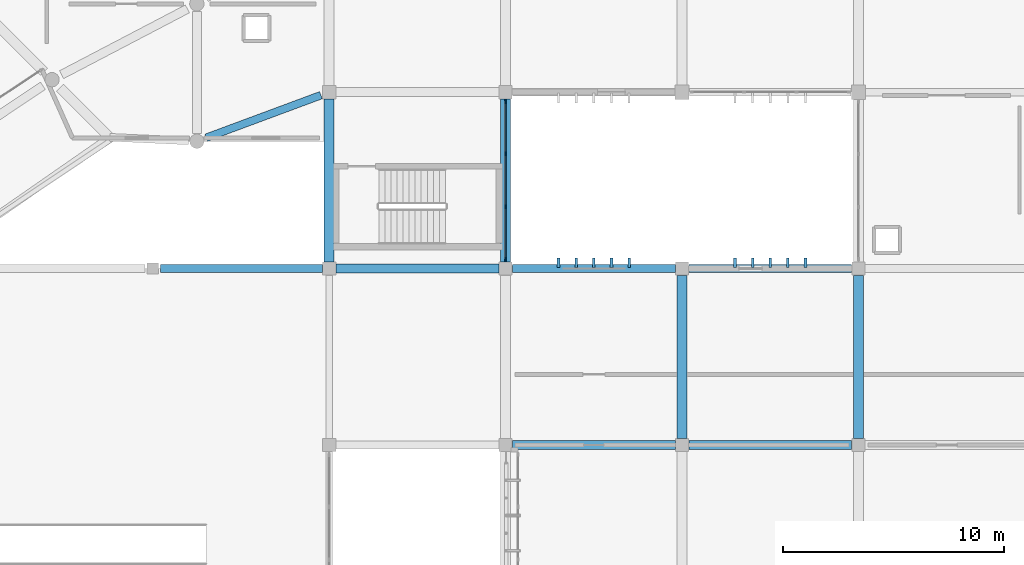
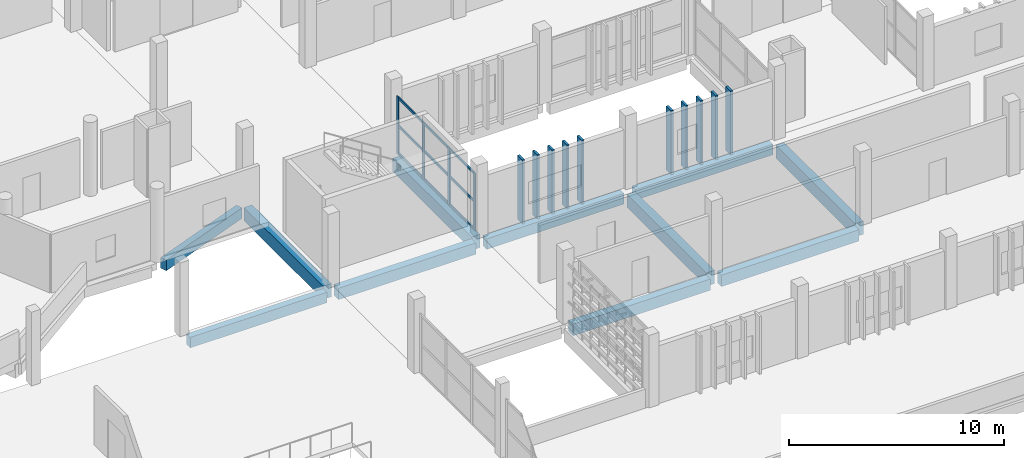
# One storey, part 13 of 137: 23 members, 11 beams, 1 element without a shape of its own.
"""IFC4 building model written with IfcOpenShell, lengths in metres."""

from ifc_helpers import new_model, si_unit, direction, frame, origin, origin_2d, place, context, subcontext, project, spatial, rectangle, extrude, material, layer, layer_set, material_profile, profile_set, type_object, element, aggregate, save


model = new_model("IFC4")

# Units and contexts
model_context = context("Model", 3, precision=1e-05, world=origin(), true_north=direction((0.0, 1.0)))
body_context = subcontext(model_context, "Body", "Model", "MODEL_VIEW")
ifc_project = project(units=[si_unit("LENGTHUNIT", "METRE"), si_unit("AREAUNIT", "SQUARE_METRE"), si_unit("VOLUMEUNIT", "CUBIC_METRE"), si_unit("PLANEANGLEUNIT", "RADIAN"), si_unit("MASSUNIT", "GRAM", prefix="KILO")], contexts=[model_context])

# Site, building, storey
site_placement = place(None, origin())
site = spatial("IfcSite", under=ifc_project, at=site_placement, CompositionType="ELEMENT")
building_placement = place(site_placement, origin())
building = spatial("IfcBuilding", under=site, at=building_placement, Name="Jelvoka-Kovrelna Polytechnic", CompositionType="ELEMENT")
storey_placement = place(building_placement, frame((0.0, 0.0, 9.60009765625)))
storey = spatial("IfcBuildingStorey", under=building, at=storey_placement, Name="L03", CompositionType="ELEMENT", Elevation=9.60009765625)

# Beams
ifc_material_1 = material(Name="Concrete C40/50", Category="concrete")
ifc_material_profile_1 = material_profile(ifc_material_1, rectangle(XDim=0.39990234375, YDim=0.64990234375, at=origin_2d()), Name="RC 400x650")
ifc_profile_set_1 = profile_set([ifc_material_profile_1], Name="Concrete C40/50")
beam_type_1 = type_object("IfcBeamType", Name="Beam_RC_400x650", PredefinedType="BEAM", material=ifc_profile_set_1)
for number, where, z_axis, x_axis, name in (
    (1, (56.304931640625, 16.0, -0.590087890625), (1.0, 0.0, 0.0), (0.0, 1.0, 0.0), "L03 beam 0870"),
    (2, (64.304931640625, 16.0, -0.590087890625), (1.0, 0.0, 0.0), (0.0, 1.0, 0.0), "L03 beam 0871"),
    (3, (48.304931640625, 24.0, -0.590087890625), (1.0, 0.0, 0.0), (0.0, 1.0, 0.0), "L03 beam 1089"),
):
    element("IfcBeam", number, at=place(storey_placement, frame(where, z_axis=z_axis, x_axis=x_axis)), inside=storey, type_object=beam_type_1, Name=name, PredefinedType="BEAM", context=body_context, shape_type="SweptSolid", body=[
        extrude(rectangle(XDim=0.39990234375, YDim=0.64990234375, at=origin_2d()), origin(), (0.0, 0.0, 1.0), 7.39013671875),
    ])
ifc_material_2 = material(Name="Concrete C40/50", Category="concrete")
ifc_material_profile_2 = material_profile(ifc_material_2, rectangle(XDim=0.449951171875, YDim=0.75, at=origin_2d()), Name="RC 450x750")
ifc_profile_set_2 = profile_set([ifc_material_profile_2], Name="Concrete C40/50")
beam_type_2 = type_object("IfcBeamType", Name="Beam_RC_450x750", PredefinedType="BEAM", material=ifc_profile_set_2)
for number, where, z_axis, x_axis, name in (
    (4, (64.0, 16.304931640625, -0.64013671875), (0.0, 1.0, 0.0), (-1.0, 0.0, 0.0), "L03 beam 0886"),
    (5, (72.0, 16.304931640625, -0.64013671875), (0.0, 1.0, 0.0), (-1.0, 0.0, 0.0), "L03 beam 0888"),
    (6, (48.0, 24.304931640625, -0.64013671875), (0.0, 1.0, 0.0), (-1.0, 0.0, 0.0), "L03 beam 1096"),
    (7, (56.0, 24.304931640625, -0.64013671875), (0.0, 1.0, 0.0), (-1.0, 0.0, 0.0), "L03 beam 1102"),
):
    element("IfcBeam", number, at=place(storey_placement, frame(where, z_axis=z_axis, x_axis=x_axis)), inside=storey, type_object=beam_type_2, Name=name, PredefinedType="BEAM", context=body_context, shape_type="SweptSolid", body=[
        extrude(rectangle(XDim=0.449951171875, YDim=0.75, at=origin_2d()), origin(), (0.0, 0.0, 1.0), 7.39013671875),
    ])

# Members
ifc_material_3 = material(Name="Precast concrete C40/50", Category="concrete")
ifc_material_profile_3 = material_profile(ifc_material_3, rectangle(XDim=0.1201171875, YDim=0.449951171875, at=origin_2d()), Name="PC 120x450")
ifc_profile_set_3 = profile_set([ifc_material_profile_3], Name="Precast concrete C40/50")
member_type_1 = type_object("IfcMemberType", Name="Louvre_Fin_120x450", PredefinedType="USERDEFINED", material=ifc_profile_set_3)
for number, where, z_axis, x_axis, name in (
    (8, (58.39990234375, 24.264892578125, -0.27001953125), (0.0, 0.0, 1.0), (1.0, 0.0, 0.0), "L03 B1 north vertical solar louvre fin 0221"),
    (9, (59.199951171875, 24.264892578125, -0.27001953125), (0.0, 0.0, 1.0), (1.0, 0.0, 0.0), "L03 B1 north vertical solar louvre fin 0222"),
    (10, (60.0, 24.264892578125, -0.27001953125), (0.0, 0.0, 1.0), (1.0, 0.0, 0.0), "L03 B1 north vertical solar louvre fin 0223"),
    (11, (60.800048828125, 24.264892578125, -0.27001953125), (0.0, 0.0, 1.0), (1.0, 0.0, 0.0), "L03 B1 north vertical solar louvre fin 0224"),
    (12, (61.60009765625, 24.264892578125, -0.27001953125), (0.0, 0.0, 1.0), (1.0, 0.0, 0.0), "L03 B1 north vertical solar louvre fin 0225"),
    (13, (66.39990234375, 24.264892578125, -0.27001953125), (0.0, 0.0, 1.0), (1.0, 0.0, 0.0), "L03 B1 north vertical solar louvre fin 0231"),
    (14, (67.199951171875, 24.264892578125, -0.27001953125), (0.0, 0.0, 1.0), (1.0, 0.0, 0.0), "L03 B1 north vertical solar louvre fin 0232"),
    (15, (68.0, 24.264892578125, -0.27001953125), (0.0, 0.0, 1.0), (1.0, 0.0, 0.0), "L03 B1 north vertical solar louvre fin 0233"),
    (16, (68.800048828125, 24.264892578125, -0.27001953125), (0.0, 0.0, 1.0), (1.0, 0.0, 0.0), "L03 B1 north vertical solar louvre fin 0234"),
    (17, (69.60009765625, 24.264892578125, -0.27001953125), (0.0, 0.0, 1.0), (1.0, 0.0, 0.0), "L03 B1 north vertical solar louvre fin 0235"),
):
    element("IfcMember", number, at=place(storey_placement, frame(where, z_axis=z_axis, x_axis=x_axis)), inside=storey, type_object=member_type_1, Name=name, ObjectType="SUNSHADE", PredefinedType="USERDEFINED", context=body_context, shape_type="SweptSolid", body=[
        extrude(rectangle(XDim=0.1201171875, YDim=0.449951171875, at=origin_2d()), origin(), (0.0, 0.0, 1.0), 3.64501953125),
    ])

# Curtain wall, members
ifc_material_4 = material(Name="Anodised aluminium 6063-T6", Category="aluminium")
ifc_layer = layer(ifc_material_4, 0.179931640625)
ifc_layer_set = layer_set([ifc_layer], Name="Anodised aluminium 6063-T6")
curtain_wall_type = type_object("IfcCurtainWallType", Name="CW_Pavilion", PredefinedType="NOTDEFINED", material=ifc_layer_set)
curtain_wall_placement = place(storey_placement, origin())
curtain_wall = element("IfcCurtainWall", 18, at=curtain_wall_placement, inside=storey, type_object=curtain_wall_type, Name="L03 glazed curtain wall 128", PredefinedType="NOTDEFINED")
ifc_material_5 = material(Name="Anodised aluminium 6063-T6", Category="aluminium")
ifc_material_profile_4 = material_profile(ifc_material_5, rectangle(XDim=0.06494140625, YDim=0.179931640625, at=origin_2d()), Name="ALU 65x180")
ifc_profile_set_4 = profile_set([ifc_material_profile_4], Name="Anodised aluminium 6063-T6")
member_type_2 = type_object("IfcMemberType", Name="Mullion_M-05", PredefinedType="MULLION", material=ifc_profile_set_4)
member_1_placement = place(storey_placement, frame((56.0, 31.5673828125, -0.02490234375), z_axis=(0.0, 0.0, 1.0), x_axis=(1.0, 0.0, 0.0)))
member_1 = element("IfcMember", 19, at=member_1_placement, type_object=member_type_2, Name="CW-05 mullion 1", PredefinedType="MULLION", context=body_context, shape_type="SweptSolid", body=[
    extrude(rectangle(XDim=0.06494140625, YDim=0.179931640625, at=origin_2d()), origin(), (0.0, 0.0, 1.0), 3.27490234375),
])
member_2_placement = place(storey_placement, frame((56.0, 29.199951171875, -0.02490234375), z_axis=(0.0, 0.0, 1.0), x_axis=(1.0, 0.0, 0.0)))
member_2 = element("IfcMember", 20, at=member_2_placement, type_object=member_type_2, Name="CW-05 mullion 2", PredefinedType="MULLION", context=body_context, shape_type="SweptSolid", body=[
    extrude(rectangle(XDim=0.06494140625, YDim=0.179931640625, at=origin_2d()), origin(), (0.0, 0.0, 1.0), 3.27490234375),
])
member_3_placement = place(storey_placement, frame((56.0, 26.800048828125, -0.02490234375), z_axis=(0.0, 0.0, 1.0), x_axis=(1.0, 0.0, 0.0)))
member_3 = element("IfcMember", 21, at=member_3_placement, type_object=member_type_2, Name="CW-05 mullion 3", PredefinedType="MULLION", context=body_context, shape_type="SweptSolid", body=[
    extrude(rectangle(XDim=0.06494140625, YDim=0.179931640625, at=origin_2d()), origin(), (0.0, 0.0, 1.0), 3.27490234375),
])
member_4_placement = place(storey_placement, frame((56.0, 24.4326171875, -0.02490234375), z_axis=(0.0, 0.0, 1.0), x_axis=(1.0, 0.0, 0.0)))
member_4 = element("IfcMember", 22, at=member_4_placement, type_object=member_type_2, Name="CW-05 mullion 4", PredefinedType="MULLION", context=body_context, shape_type="SweptSolid", body=[
    extrude(rectangle(XDim=0.06494140625, YDim=0.179931640625, at=origin_2d()), origin(), (0.0, 0.0, 1.0), 3.27490234375),
])

# Beams
ifc_material_6 = material(Name="Concrete C40/50", Category="concrete")
ifc_material_profile_5 = material_profile(ifc_material_6, rectangle(XDim=0.35009765625, YDim=0.60009765625, at=origin_2d()), Name="RC 350x600")
ifc_profile_set_5 = profile_set([ifc_material_profile_5], Name="Concrete C40/50")
beam_type_3 = type_object("IfcBeamType", Name="Spandrel_RC_350x600", PredefinedType="SPANDREL", material=ifc_profile_set_5)
beam_1_placement = place(storey_placement, frame((40.35498046875, 24.0, -0.585205078125), z_axis=(1.0, 0.0, 0.0), x_axis=(0.0, 1.0, 0.0)))
element("IfcBeam", 23, at=beam_1_placement, inside=storey, type_object=beam_type_3, Name="L03 beam 0206", PredefinedType="SPANDREL", context=body_context, shape_type="SweptSolid", body=[
    extrude(rectangle(XDim=0.35009765625, YDim=0.60009765625, at=origin_2d()), origin(), (0.0, 0.0, 1.0), 7.340087890625),
])
for number, where, z_axis, x_axis, name in (
    (24, (56.304931640625, 24.0, -0.565185546875), (1.0, 0.0, 0.0), (0.0, 1.0, 0.0), "L03 beam 0876"),
    (25, (64.304931640625, 24.0, -0.565185546875), (1.0, 0.0, 0.0), (0.0, 1.0, 0.0), "L03 beam 0877"),
):
    element("IfcBeam", number, at=place(storey_placement, frame(where, z_axis=z_axis, x_axis=x_axis)), inside=storey, type_object=beam_type_3, Name=name, PredefinedType="SPANDREL", context=body_context, shape_type="SweptSolid", body=[
        extrude(rectangle(XDim=0.35009765625, YDim=0.60009765625, at=origin_2d()), origin(), (0.0, 0.0, 1.0), 7.39013671875),
    ])
beam_2_placement = place(storey_placement, frame((42.43310546875, 29.932861328125, -0.550048828125), z_axis=(0.937456087669, 0.348103553118, 0.0), x_axis=(-0.348103553118, 0.937456087669, 0.0)))
element("IfcBeam", 26, at=beam_2_placement, inside=storey, type_object=beam_type_3, Name="L03 beam 2524", PredefinedType="SPANDREL", context=body_context, shape_type="SweptSolid", body=[
    extrude(rectangle(XDim=0.35009765625, YDim=0.60009765625, at=origin_2d()), origin(), (0.0, 0.0, 1.0), 5.54052734375),
])

# Member
ifc_material_7 = material(Name="Anodised aluminium 6063-T6", Category="aluminium")
ifc_material_profile_6 = material_profile(ifc_material_7, rectangle(XDim=0.06494140625, YDim=0.135009765625, at=origin_2d()), Name="ALU 65x135")
ifc_profile_set_6 = profile_set([ifc_material_profile_6], Name="Anodised aluminium 6063-T6")
member_type_3 = type_object("IfcMemberType", Name="Transom_T-05", PredefinedType="USERDEFINED", material=ifc_profile_set_6)
member_5_placement = place(storey_placement, frame((56.0, 31.534912109375, 0.032470703125), z_axis=(0.0, -1.0, 0.0), x_axis=(1.0, 0.0, 0.0)))
member_5 = element("IfcMember", 27, at=member_5_placement, type_object=member_type_3, Name="CW-05 transom 1.1", ObjectType="TRANSOM", PredefinedType="USERDEFINED", context=body_context, shape_type="SweptSolid", body=[
    extrude(rectangle(XDim=0.06494140625, YDim=0.135009765625, at=origin_2d()), origin(), (0.0, 0.0, 1.0), 2.302490234375),
])

member_6_placement = place(storey_placement, frame((56.0, 31.534912109375, 1.6123046875), z_axis=(0.0, -1.0, 0.0), x_axis=(1.0, 0.0, 0.0)))
member_6 = element("IfcMember", 28, at=member_6_placement, type_object=member_type_3, Name="CW-05 transom 1.2", ObjectType="TRANSOM", PredefinedType="USERDEFINED", context=body_context, shape_type="SweptSolid", body=[
    extrude(rectangle(XDim=0.06494140625, YDim=0.135009765625, at=origin_2d()), origin(), (0.0, 0.0, 1.0), 2.302490234375),
])

member_7_placement = place(storey_placement, frame((56.0, 31.534912109375, 3.1923828125), z_axis=(0.0, -1.0, 0.0), x_axis=(1.0, 0.0, 0.0)))
member_7 = element("IfcMember", 29, at=member_7_placement, type_object=member_type_3, Name="CW-05 transom 1.3", ObjectType="TRANSOM", PredefinedType="USERDEFINED", context=body_context, shape_type="SweptSolid", body=[
    extrude(rectangle(XDim=0.06494140625, YDim=0.135009765625, at=origin_2d()), origin(), (0.0, 0.0, 1.0), 2.302490234375),
])

member_8_placement = place(storey_placement, frame((56.0, 29.16748046875, 0.032470703125), z_axis=(0.0, -1.0, 0.0), x_axis=(1.0, 0.0, 0.0)))
member_8 = element("IfcMember", 30, at=member_8_placement, type_object=member_type_3, Name="CW-05 transom 2.1", ObjectType="TRANSOM", PredefinedType="USERDEFINED", context=body_context, shape_type="SweptSolid", body=[
    extrude(rectangle(XDim=0.06494140625, YDim=0.135009765625, at=origin_2d()), origin(), (0.0, 0.0, 1.0), 2.3349609375),
])

member_9_placement = place(storey_placement, frame((56.0, 29.16748046875, 1.6123046875), z_axis=(0.0, -1.0, 0.0), x_axis=(1.0, 0.0, 0.0)))
member_9 = element("IfcMember", 31, at=member_9_placement, type_object=member_type_3, Name="CW-05 transom 2.2", ObjectType="TRANSOM", PredefinedType="USERDEFINED", context=body_context, shape_type="SweptSolid", body=[
    extrude(rectangle(XDim=0.06494140625, YDim=0.135009765625, at=origin_2d()), origin(), (0.0, 0.0, 1.0), 2.3349609375),
])

member_10_placement = place(storey_placement, frame((56.0, 29.16748046875, 3.1923828125), z_axis=(0.0, -1.0, 0.0), x_axis=(1.0, 0.0, 0.0)))
member_10 = element("IfcMember", 32, at=member_10_placement, type_object=member_type_3, Name="CW-05 transom 2.3", ObjectType="TRANSOM", PredefinedType="USERDEFINED", context=body_context, shape_type="SweptSolid", body=[
    extrude(rectangle(XDim=0.06494140625, YDim=0.135009765625, at=origin_2d()), origin(), (0.0, 0.0, 1.0), 2.3349609375),
])

member_11_placement = place(storey_placement, frame((56.0, 26.767578125, 0.032470703125), z_axis=(0.0, -1.0, 0.0), x_axis=(1.0, 0.0, 0.0)))
member_11 = element("IfcMember", 33, at=member_11_placement, type_object=member_type_3, Name="CW-05 transom 3.1", ObjectType="TRANSOM", PredefinedType="USERDEFINED", context=body_context, shape_type="SweptSolid", body=[
    extrude(rectangle(XDim=0.06494140625, YDim=0.135009765625, at=origin_2d()), origin(), (0.0, 0.0, 1.0), 2.302490234375),
])

member_12_placement = place(storey_placement, frame((56.0, 26.767578125, 1.6123046875), z_axis=(0.0, -1.0, 0.0), x_axis=(1.0, 0.0, 0.0)))
member_12 = element("IfcMember", 34, at=member_12_placement, type_object=member_type_3, Name="CW-05 transom 3.2", ObjectType="TRANSOM", PredefinedType="USERDEFINED", context=body_context, shape_type="SweptSolid", body=[
    extrude(rectangle(XDim=0.06494140625, YDim=0.135009765625, at=origin_2d()), origin(), (0.0, 0.0, 1.0), 2.302490234375),
])

member_13_placement = place(storey_placement, frame((56.0, 26.767578125, 3.1923828125), z_axis=(0.0, -1.0, 0.0), x_axis=(1.0, 0.0, 0.0)))
member_13 = element("IfcMember", 35, at=member_13_placement, type_object=member_type_3, Name="CW-05 transom 3.3", ObjectType="TRANSOM", PredefinedType="USERDEFINED", context=body_context, shape_type="SweptSolid", body=[
    extrude(rectangle(XDim=0.06494140625, YDim=0.135009765625, at=origin_2d()), origin(), (0.0, 0.0, 1.0), 2.302490234375),
])

aggregate(curtain_wall, [member_1, member_2, member_3, member_4, member_5, member_6, member_7, member_8, member_9, member_10, member_11, member_12, member_13])

save(model, "model.ifc")
